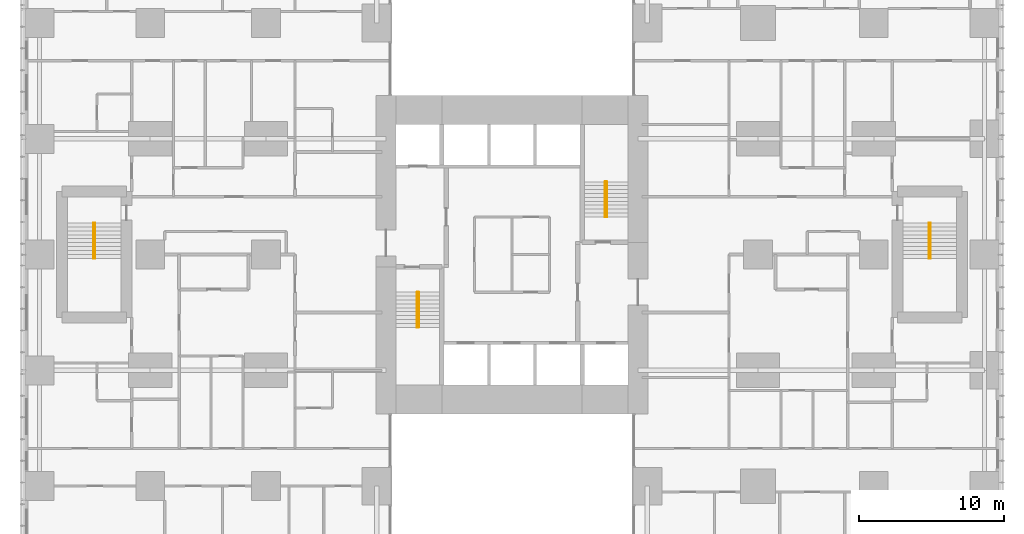
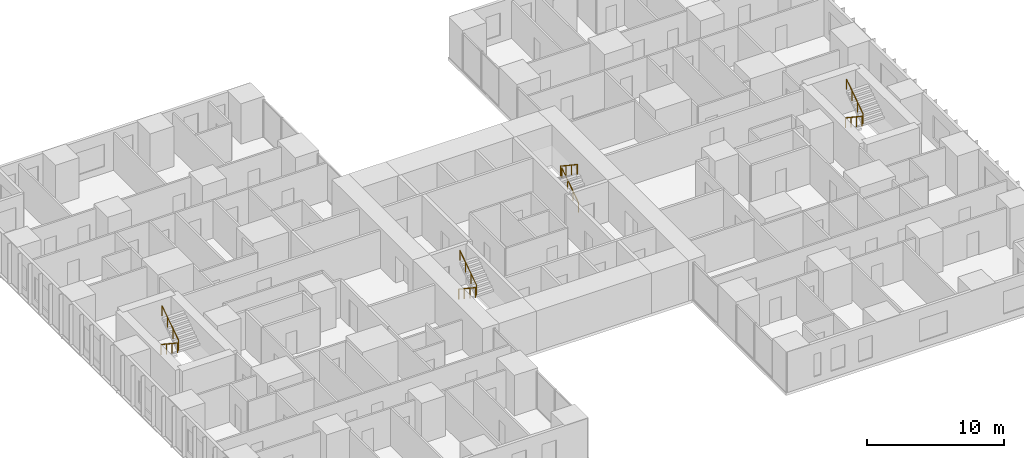
# One storey, part 20 of 20: 8 railings.
"""IFC4 building model written with IfcOpenShell, lengths in metres."""

from ifc_helpers import new_model, si_unit, direction, frame, origin, origin_2d, place, context, subcontext, project, spatial, circle, extrude, material, type_object, element, save


model = new_model("IFC4")

# Units and contexts
model_context = context("Model", 3, precision=1e-05, world=origin(), true_north=direction((0.0, 1.0)))
body_context = subcontext(model_context, "Body", "Model", "MODEL_VIEW")
ifc_project = project(units=[si_unit("LENGTHUNIT", "METRE"), si_unit("AREAUNIT", "SQUARE_METRE"), si_unit("VOLUMEUNIT", "CUBIC_METRE"), si_unit("PLANEANGLEUNIT", "RADIAN"), si_unit("MASSUNIT", "GRAM", prefix="KILO")], contexts=[model_context])

# Site, building, storey
site_placement = place(None, origin())
site = spatial("IfcSite", under=ifc_project, at=site_placement, CompositionType="ELEMENT")
building_placement = place(site_placement, origin())
building = spatial("IfcBuilding", under=site, at=building_placement, Name="Cleftline Residences", CompositionType="ELEMENT")
storey_placement = place(building_placement, frame((0.0, 0.0, 44.0)))
storey = spatial("IfcBuildingStorey", under=building, at=storey_placement, Name="L10", CompositionType="ELEMENT", Elevation=44.0)

# Railings
ifc_material = material(Name="Stainless steel", Category="steel")
railing_type = type_object("IfcRailingType", Name="HANDRAIL 900", PredefinedType="HANDRAIL", material=ifc_material)
railing_1_placement = place(storey_placement, frame((26.449951171875, 21.39990234375, 0.179931640625)))
element("IfcRailing", 1, at=railing_1_placement, inside=storey, type_object=railing_type, Name="Stair handrail", PredefinedType="HANDRAIL", context=body_context, shape_type="SweptSolid", body=[
    extrude(circle(Radius=0.02392578125, at=origin_2d()), frame((0.0, 0.0, 0.8759765625), z_axis=(0.0, -0.832024571796, 0.554738778101), x_axis=(1.0, 0.0, 0.0)), (0.0, 0.0, 1.0), 2.92041015625),
    extrude(circle(Radius=0.02099609375, at=origin_2d()), origin(), (0.0, 0.0, 1.0), 0.851806640625),
    extrude(circle(Radius=0.02099609375, at=origin_2d()), frame((0.0, -0.81005859375, 0.5400390625)), (0.0, 0.0, 1.0), 0.851806640625),
    extrude(circle(Radius=0.02099609375, at=origin_2d()), frame((0.0, -1.619873046875, 1.080078125)), (0.0, 0.0, 1.0), 0.851806640625),
    extrude(circle(Radius=0.02099609375, at=origin_2d()), frame((0.0, -2.429931640625, 1.6201171875)), (0.0, 0.0, 1.0), 0.851806640625),
])
for number, where, name in (
    (2, (26.550048828125, 18.969970703125, 1.97998046875), "Stair handrail"),
    (3, (39.550048828125, 26.60009765625, 0.179931640625), "Stair handrail"),
):
    element("IfcRailing", number, at=place(storey_placement, frame(where)), inside=storey, type_object=railing_type, Name=name, PredefinedType="HANDRAIL", context=body_context, shape_type="SweptSolid", body=[
        extrude(circle(Radius=0.02392578125, at=origin_2d()), frame((0.0, 0.0, 0.8759765625), z_axis=(0.0, 0.832024571796, 0.554738778101), x_axis=(-1.0, 0.0, 0.0)), (0.0, 0.0, 1.0), 2.92041015625),
        extrude(circle(Radius=0.02099609375, at=origin_2d()), origin(), (0.0, 0.0, 1.0), 0.851806640625),
        extrude(circle(Radius=0.02099609375, at=origin_2d()), frame((0.0, 0.81005859375, 0.5400390625)), (0.0, 0.0, 1.0), 0.851806640625),
        extrude(circle(Radius=0.02099609375, at=origin_2d()), frame((0.0, 1.619873046875, 1.080078125)), (0.0, 0.0, 1.0), 0.851806640625),
        extrude(circle(Radius=0.02099609375, at=origin_2d()), frame((0.0, 2.429931640625, 1.6201171875)), (0.0, 0.0, 1.0), 0.851806640625),
    ])
for number, where, name in (
    (4, (39.449951171875, 29.030029296875, 1.97998046875), "Stair handrail"),
    (5, (61.824951171875, 26.175048828125, 0.179931640625), "Stair handrail"),
):
    element("IfcRailing", number, at=place(storey_placement, frame(where)), inside=storey, type_object=railing_type, Name=name, PredefinedType="HANDRAIL", context=body_context, shape_type="SweptSolid", body=[
        extrude(circle(Radius=0.02392578125, at=origin_2d()), frame((0.0, 0.0, 0.8759765625), z_axis=(0.0, -0.832024571796, 0.554738778101), x_axis=(1.0, 0.0, 0.0)), (0.0, 0.0, 1.0), 2.92041015625),
        extrude(circle(Radius=0.02099609375, at=origin_2d()), origin(), (0.0, 0.0, 1.0), 0.851806640625),
        extrude(circle(Radius=0.02099609375, at=origin_2d()), frame((0.0, -0.81005859375, 0.5400390625)), (0.0, 0.0, 1.0), 0.851806640625),
        extrude(circle(Radius=0.02099609375, at=origin_2d()), frame((0.0, -1.619873046875, 1.080078125)), (0.0, 0.0, 1.0), 0.851806640625),
        extrude(circle(Radius=0.02099609375, at=origin_2d()), frame((0.0, -2.429931640625, 1.6201171875)), (0.0, 0.0, 1.0), 0.851806640625),
    ])
railing_2_placement = place(storey_placement, frame((61.925048828125, 23.7451171875, 1.97998046875)))
element("IfcRailing", 6, at=railing_2_placement, inside=storey, type_object=railing_type, Name="Stair handrail", PredefinedType="HANDRAIL", context=body_context, shape_type="SweptSolid", body=[
    extrude(circle(Radius=0.02392578125, at=origin_2d()), frame((0.0, 0.0, 0.8759765625), z_axis=(0.0, 0.832024571796, 0.554738778101), x_axis=(-1.0, 0.0, 0.0)), (0.0, 0.0, 1.0), 2.92041015625),
    extrude(circle(Radius=0.02099609375, at=origin_2d()), origin(), (0.0, 0.0, 1.0), 0.851806640625),
    extrude(circle(Radius=0.02099609375, at=origin_2d()), frame((0.0, 0.81005859375, 0.5400390625)), (0.0, 0.0, 1.0), 0.851806640625),
    extrude(circle(Radius=0.02099609375, at=origin_2d()), frame((0.0, 1.619873046875, 1.080078125)), (0.0, 0.0, 1.0), 0.851806640625),
    extrude(circle(Radius=0.02099609375, at=origin_2d()), frame((0.0, 2.429931640625, 1.6201171875)), (0.0, 0.0, 1.0), 0.851806640625),
])
railing_3_placement = place(storey_placement, frame((4.074951171875, 26.175048828125, 0.179931640625)))
element("IfcRailing", 7, at=railing_3_placement, inside=storey, type_object=railing_type, Name="Stair handrail", PredefinedType="HANDRAIL", context=body_context, shape_type="SweptSolid", body=[
    extrude(circle(Radius=0.02392578125, at=origin_2d()), frame((0.0, 0.0, 0.8759765625), z_axis=(0.0, -0.832024571796, 0.554738778101), x_axis=(1.0, 0.0, 0.0)), (0.0, 0.0, 1.0), 2.92041015625),
    extrude(circle(Radius=0.02099609375, at=origin_2d()), origin(), (0.0, 0.0, 1.0), 0.851806640625),
    extrude(circle(Radius=0.02099609375, at=origin_2d()), frame((0.0, -0.81005859375, 0.5400390625)), (0.0, 0.0, 1.0), 0.851806640625),
    extrude(circle(Radius=0.02099609375, at=origin_2d()), frame((0.0, -1.619873046875, 1.080078125)), (0.0, 0.0, 1.0), 0.851806640625),
    extrude(circle(Radius=0.02099609375, at=origin_2d()), frame((0.0, -2.429931640625, 1.6201171875)), (0.0, 0.0, 1.0), 0.851806640625),
])
railing_4_placement = place(storey_placement, frame((4.175048828125, 23.7451171875, 1.97998046875)))
element("IfcRailing", 8, at=railing_4_placement, inside=storey, type_object=railing_type, Name="Stair handrail", PredefinedType="HANDRAIL", context=body_context, shape_type="SweptSolid", body=[
    extrude(circle(Radius=0.02392578125, at=origin_2d()), frame((0.0, 0.0, 0.8759765625), z_axis=(0.0, 0.832024571796, 0.554738778101), x_axis=(-1.0, 0.0, 0.0)), (0.0, 0.0, 1.0), 2.92041015625),
    extrude(circle(Radius=0.02099609375, at=origin_2d()), origin(), (0.0, 0.0, 1.0), 0.851806640625),
    extrude(circle(Radius=0.02099609375, at=origin_2d()), frame((0.0, 0.81005859375, 0.5400390625)), (0.0, 0.0, 1.0), 0.851806640625),
    extrude(circle(Radius=0.02099609375, at=origin_2d()), frame((0.0, 1.619873046875, 1.080078125)), (0.0, 0.0, 1.0), 0.851806640625),
    extrude(circle(Radius=0.02099609375, at=origin_2d()), frame((0.0, 2.429931640625, 1.6201171875)), (0.0, 0.0, 1.0), 0.851806640625),
])

save(model, "model.ifc")
